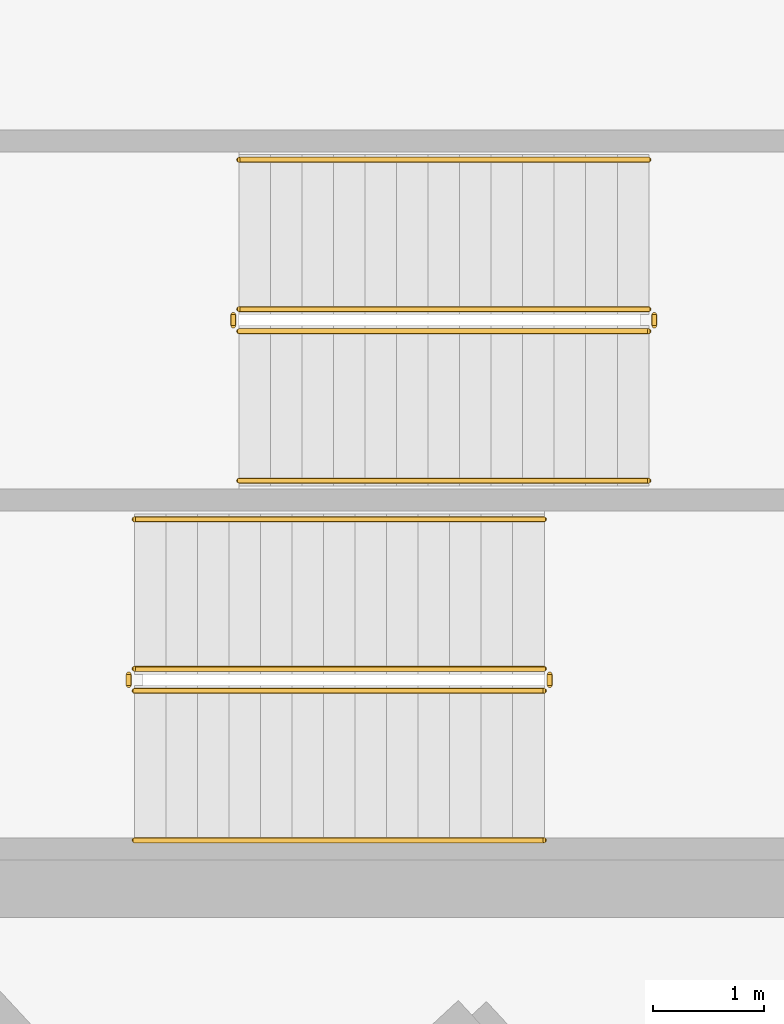
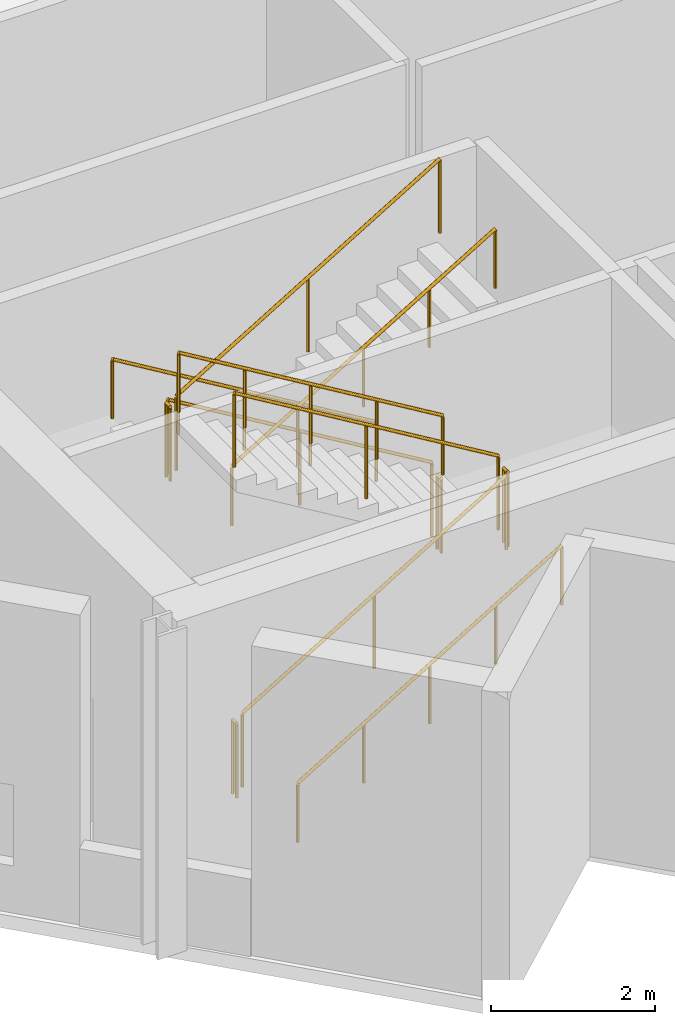
# One storey, part 11 of 12: 12 railings.
"""IFC4 building model written with IfcOpenShell, lengths in metres."""

from ifc_helpers import new_model, si_unit, direction, frame, origin, origin_2d, place, context, subcontext, project, spatial, circle, extrude, material, type_object, element, save


model = new_model("IFC4")

# Units and contexts
model_context = context("Model", 3, precision=1e-05, world=origin(), true_north=direction((0.0, 1.0)))
body_context = subcontext(model_context, "Body", "Model", "MODEL_VIEW")
ifc_project = project(units=[si_unit("LENGTHUNIT", "METRE"), si_unit("AREAUNIT", "SQUARE_METRE"), si_unit("VOLUMEUNIT", "CUBIC_METRE"), si_unit("PLANEANGLEUNIT", "RADIAN"), si_unit("MASSUNIT", "GRAM", prefix="KILO")], contexts=[model_context])

# Site, building, storey
site_placement = place(None, origin())
site = spatial("IfcSite", under=ifc_project, at=site_placement, CompositionType="ELEMENT")
building_placement = place(site_placement, origin())
building = spatial("IfcBuilding", under=site, at=building_placement, Name="Narakoshi Arena Tower", CompositionType="ELEMENT")
storey_placement = place(building_placement, frame((0.0, 0.0, 298.179931640625)))
storey = spatial("IfcBuildingStorey", under=building, at=storey_placement, Name="L81", CompositionType="ELEMENT", Elevation=298.179931640625)

# Railings
ifc_material_1 = material(Name="Clear low-iron laminated structural glass", Category="glass")
railing_type_1 = type_object("IfcRailingType", Name="RL-BAL-1100", PredefinedType="BALUSTRADE", material=ifc_material_1)
railing_1_placement = place(storey_placement, frame((74.39990234375, 36.949951171875, 0.17138671875)))
element("IfcRailing", 1, at=railing_1_placement, inside=storey, type_object=railing_type_1, Name="L81 ST1 stair guard 1", PredefinedType="BALUSTRADE", context=body_context, shape_type="SweptSolid", body=[
    extrude(circle(Radius=0.02392578125, at=origin_2d()), frame((0.0, 0.0, 1.09619140625), z_axis=(0.856909459561, 0.0, 0.515466951525), x_axis=(0.0, 1.0, 0.0)), (0.0, 0.0, 1.0), 4.32373046875),
    extrude(circle(Radius=0.02099609375, at=origin_2d()), origin(), (0.0, 0.0, 1.0), 1.072021484375),
    extrude(circle(Radius=0.02099609375, at=origin_2d()), frame((1.8525390625, 0.0, 1.1142578125)), (0.0, 0.0, 1.0), 1.072021484375),
    extrude(circle(Radius=0.02099609375, at=origin_2d()), frame((3.705078125, 0.0, 2.228759765625)), (0.0, 0.0, 1.0), 1.072021484375),
])
railing_2_placement = place(storey_placement, frame((78.155029296875, 37.0, 2.400146484375)))
element("IfcRailing", 2, at=railing_2_placement, inside=storey, type_object=railing_type_1, Name="L81 ST1 stair guard 2", PredefinedType="BALUSTRADE", context=body_context, shape_type="SweptSolid", body=[
    extrude(circle(Radius=0.02392578125, at=origin_2d()), frame((0.0, 0.0, 1.09619140625), z_axis=(0.0, 1.0, 0.0), x_axis=(-1.0, 0.0, 0.0)), (0.0, 0.0, 1.0), 0.10009765625),
    extrude(circle(Radius=0.02099609375, at=origin_2d()), origin(), (0.0, 0.0, 1.0), 1.072021484375),
    extrude(circle(Radius=0.02099609375, at=origin_2d()), frame((0.0, 0.10009765625, 0.0)), (0.0, 0.0, 1.0), 1.072021484375),
])
railing_3_placement = place(storey_placement, frame((78.10498046875, 37.14990234375, 2.571533203125)))
element("IfcRailing", 3, at=railing_3_placement, inside=storey, type_object=railing_type_1, Name="L81 ST1 stair guard 3", PredefinedType="BALUSTRADE", context=body_context, shape_type="SweptSolid", body=[
    extrude(circle(Radius=0.02392578125, at=origin_2d()), frame((0.0, 0.0, 1.09619140625), z_axis=(-0.856934400257, 0.0, 0.515425487977), x_axis=(0.0, -1.0, 0.0)), (0.0, 0.0, 1.0), 4.32373046875),
    extrude(circle(Radius=0.02099609375, at=origin_2d()), origin(), (0.0, 0.0, 1.0), 1.072021484375),
    extrude(circle(Radius=0.02099609375, at=origin_2d()), frame((-1.8525390625, 0.0, 1.1142578125)), (0.0, 0.0, 1.0), 1.072021484375),
    extrude(circle(Radius=0.02099609375, at=origin_2d()), frame((-3.705078125, 0.0, 2.228515625)), (0.0, 0.0, 1.0), 1.072021484375),
])
railing_4_placement = place(storey_placement, frame((74.35009765625, 37.0, 0.0)))
element("IfcRailing", 4, at=railing_4_placement, inside=storey, type_object=railing_type_1, Name="L81 ST1 stair guard 4", PredefinedType="BALUSTRADE", context=body_context, shape_type="SweptSolid", body=[
    extrude(circle(Radius=0.02392578125, at=origin_2d()), frame((0.0, 0.0, 1.09619140625), z_axis=(0.0, 1.0, 0.0), x_axis=(-1.0, 0.0, 0.0)), (0.0, 0.0, 1.0), 0.10009765625),
    extrude(circle(Radius=0.02099609375, at=origin_2d()), origin(), (0.0, 0.0, 1.0), 1.072021484375),
    extrude(circle(Radius=0.02099609375, at=origin_2d()), frame((0.0, 0.10009765625, 0.0)), (0.0, 0.0, 1.0), 1.072021484375),
])
railing_5_placement = place(storey_placement, frame((79.050048828125, 40.39990234375, 0.17138671875)))
element("IfcRailing", 5, at=railing_5_placement, inside=storey, type_object=railing_type_1, Name="L81 ST2 stair guard 1", PredefinedType="BALUSTRADE", context=body_context, shape_type="SweptSolid", body=[
    extrude(circle(Radius=0.02392578125, at=origin_2d()), frame((0.0, 0.0, 1.09619140625), z_axis=(-0.856909459561, 0.0, 0.515466951525), x_axis=(0.0, -1.0, 0.0)), (0.0, 0.0, 1.0), 4.32373046875),
    extrude(circle(Radius=0.02099609375, at=origin_2d()), origin(), (0.0, 0.0, 1.0), 1.072021484375),
    extrude(circle(Radius=0.02099609375, at=origin_2d()), frame((-1.8525390625, 0.0, 1.1142578125)), (0.0, 0.0, 1.0), 1.072021484375),
    extrude(circle(Radius=0.02099609375, at=origin_2d()), frame((-3.705078125, 0.0, 2.228759765625)), (0.0, 0.0, 1.0), 1.072021484375),
])
railing_6_placement = place(storey_placement, frame((75.294921875, 40.35009765625, 2.400146484375)))
element("IfcRailing", 6, at=railing_6_placement, inside=storey, type_object=railing_type_1, Name="L81 ST2 stair guard 2", PredefinedType="BALUSTRADE", context=body_context, shape_type="SweptSolid", body=[
    extrude(circle(Radius=0.02392578125, at=origin_2d()), frame((0.0, 0.0, 1.09619140625), z_axis=(0.0, -1.0, 0.0), x_axis=(1.0, 0.0, 0.0)), (0.0, 0.0, 1.0), 0.10009765625),
    extrude(circle(Radius=0.02099609375, at=origin_2d()), origin(), (0.0, 0.0, 1.0), 1.072021484375),
    extrude(circle(Radius=0.02099609375, at=origin_2d()), frame((0.0, -0.10009765625, 0.0)), (0.0, 0.0, 1.0), 1.072021484375),
])
railing_7_placement = place(storey_placement, frame((75.344970703125, 40.199951171875, 2.571533203125)))
element("IfcRailing", 7, at=railing_7_placement, inside=storey, type_object=railing_type_1, Name="L81 ST2 stair guard 3", PredefinedType="BALUSTRADE", context=body_context, shape_type="SweptSolid", body=[
    extrude(circle(Radius=0.02392578125, at=origin_2d()), frame((0.0, 0.0, 1.09619140625), z_axis=(0.856934400257, 0.0, 0.515425487977), x_axis=(0.0, 1.0, 0.0)), (0.0, 0.0, 1.0), 4.32373046875),
    extrude(circle(Radius=0.02099609375, at=origin_2d()), origin(), (0.0, 0.0, 1.0), 1.072021484375),
    extrude(circle(Radius=0.02099609375, at=origin_2d()), frame((1.8525390625, 0.0, 1.1142578125)), (0.0, 0.0, 1.0), 1.072021484375),
    extrude(circle(Radius=0.02099609375, at=origin_2d()), frame((3.705078125, 0.0, 2.228515625)), (0.0, 0.0, 1.0), 1.072021484375),
])
railing_8_placement = place(storey_placement, frame((79.10009765625, 40.35009765625, 0.0)))
element("IfcRailing", 8, at=railing_8_placement, inside=storey, type_object=railing_type_1, Name="L81 ST2 stair guard 4", PredefinedType="BALUSTRADE", context=body_context, shape_type="SweptSolid", body=[
    extrude(circle(Radius=0.02392578125, at=origin_2d()), frame((0.0, 0.0, 1.09619140625), z_axis=(0.0, -1.0, 0.0), x_axis=(1.0, 0.0, 0.0)), (0.0, 0.0, 1.0), 0.10009765625),
    extrude(circle(Radius=0.02099609375, at=origin_2d()), origin(), (0.0, 0.0, 1.0), 1.072021484375),
    extrude(circle(Radius=0.02099609375, at=origin_2d()), frame((0.0, -0.10009765625, 0.0)), (0.0, 0.0, 1.0), 1.072021484375),
])
ifc_material_2 = material(Name="Brushed bronze stainless steel", Category="steel")
railing_type_2 = type_object("IfcRailingType", Name="RL-HND-900", PredefinedType="HANDRAIL", material=ifc_material_2)
railing_9_placement = place(storey_placement, frame((74.39990234375, 35.60009765625, 0.17138671875)))
element("IfcRailing", 9, at=railing_9_placement, inside=storey, type_object=railing_type_2, Name="L81 ST1 stair handrail 1", PredefinedType="HANDRAIL", context=body_context, shape_type="SweptSolid", body=[
    extrude(circle(Radius=0.02392578125, at=origin_2d()), frame((0.0, 0.0, 0.8759765625), z_axis=(0.856909459561, 0.0, 0.515466951525), x_axis=(0.0, 1.0, 0.0)), (0.0, 0.0, 1.0), 4.32373046875),
    extrude(circle(Radius=0.02099609375, at=origin_2d()), origin(), (0.0, 0.0, 1.0), 0.851806640625),
    extrude(circle(Radius=0.02099609375, at=origin_2d()), frame((0.92626953125, 0.0, 0.55712890625)), (0.0, 0.0, 1.0), 0.851806640625),
    extrude(circle(Radius=0.02099609375, at=origin_2d()), frame((1.8525390625, 0.0, 1.1142578125)), (0.0, 0.0, 1.0), 0.851806640625),
    extrude(circle(Radius=0.02099609375, at=origin_2d()), frame((2.77880859375, 0.0, 1.671630859375)), (0.0, 0.0, 1.0), 0.851806640625),
    extrude(circle(Radius=0.02099609375, at=origin_2d()), frame((3.705078125, 0.0, 2.228759765625)), (0.0, 0.0, 1.0), 0.851806640625),
])
railing_10_placement = place(storey_placement, frame((78.10498046875, 38.5, 2.571533203125)))
element("IfcRailing", 10, at=railing_10_placement, inside=storey, type_object=railing_type_2, Name="L81 ST1 stair handrail 2", PredefinedType="HANDRAIL", context=body_context, shape_type="SweptSolid", body=[
    extrude(circle(Radius=0.02392578125, at=origin_2d()), frame((0.0, 0.0, 0.8759765625), z_axis=(-0.856934400257, 0.0, 0.515425487977), x_axis=(0.0, -1.0, 0.0)), (0.0, 0.0, 1.0), 4.32373046875),
    extrude(circle(Radius=0.02099609375, at=origin_2d()), origin(), (0.0, 0.0, 1.0), 0.851806640625),
    extrude(circle(Radius=0.02099609375, at=origin_2d()), frame((-0.92626953125, 0.0, 0.55712890625)), (0.0, 0.0, 1.0), 0.851806640625),
    extrude(circle(Radius=0.02099609375, at=origin_2d()), frame((-1.8525390625, 0.0, 1.1142578125)), (0.0, 0.0, 1.0), 0.851806640625),
    extrude(circle(Radius=0.02099609375, at=origin_2d()), frame((-2.77880859375, 0.0, 1.67138671875)), (0.0, 0.0, 1.0), 0.851806640625),
    extrude(circle(Radius=0.02099609375, at=origin_2d()), frame((-3.705078125, 0.0, 2.228515625)), (0.0, 0.0, 1.0), 0.851806640625),
])
railing_11_placement = place(storey_placement, frame((79.050048828125, 41.75, 0.17138671875)))
element("IfcRailing", 11, at=railing_11_placement, inside=storey, type_object=railing_type_2, Name="L81 ST2 stair handrail 1", PredefinedType="HANDRAIL", context=body_context, shape_type="SweptSolid", body=[
    extrude(circle(Radius=0.02392578125, at=origin_2d()), frame((0.0, 0.0, 0.8759765625), z_axis=(-0.856909459561, 0.0, 0.515466951525), x_axis=(0.0, -1.0, 0.0)), (0.0, 0.0, 1.0), 4.32373046875),
    extrude(circle(Radius=0.02099609375, at=origin_2d()), origin(), (0.0, 0.0, 1.0), 0.851806640625),
    extrude(circle(Radius=0.02099609375, at=origin_2d()), frame((-0.92626953125, 0.0, 0.55712890625)), (0.0, 0.0, 1.0), 0.851806640625),
    extrude(circle(Radius=0.02099609375, at=origin_2d()), frame((-1.8525390625, 0.0, 1.1142578125)), (0.0, 0.0, 1.0), 0.851806640625),
    extrude(circle(Radius=0.02099609375, at=origin_2d()), frame((-2.77880859375, 0.0, 1.671630859375)), (0.0, 0.0, 1.0), 0.851806640625),
    extrude(circle(Radius=0.02099609375, at=origin_2d()), frame((-3.705078125, 0.0, 2.228759765625)), (0.0, 0.0, 1.0), 0.851806640625),
])
railing_12_placement = place(storey_placement, frame((75.344970703125, 38.85009765625, 2.571533203125)))
element("IfcRailing", 12, at=railing_12_placement, inside=storey, type_object=railing_type_2, Name="L81 ST2 stair handrail 2", PredefinedType="HANDRAIL", context=body_context, shape_type="SweptSolid", body=[
    extrude(circle(Radius=0.02392578125, at=origin_2d()), frame((0.0, 0.0, 0.8759765625), z_axis=(0.856934400257, 0.0, 0.515425487977), x_axis=(0.0, 1.0, 0.0)), (0.0, 0.0, 1.0), 4.32373046875),
    extrude(circle(Radius=0.02099609375, at=origin_2d()), origin(), (0.0, 0.0, 1.0), 0.851806640625),
    extrude(circle(Radius=0.02099609375, at=origin_2d()), frame((0.92626953125, 0.0, 0.55712890625)), (0.0, 0.0, 1.0), 0.851806640625),
    extrude(circle(Radius=0.02099609375, at=origin_2d()), frame((1.8525390625, 0.0, 1.1142578125)), (0.0, 0.0, 1.0), 0.851806640625),
    extrude(circle(Radius=0.02099609375, at=origin_2d()), frame((2.77880859375, 0.0, 1.67138671875)), (0.0, 0.0, 1.0), 0.851806640625),
    extrude(circle(Radius=0.02099609375, at=origin_2d()), frame((3.705078125, 0.0, 2.228515625)), (0.0, 0.0, 1.0), 0.851806640625),
])

save(model, "model.ifc")
